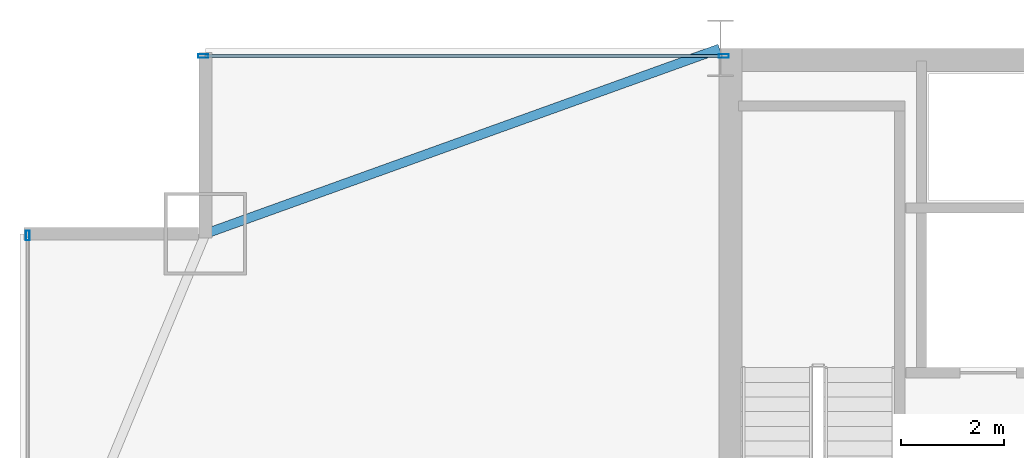
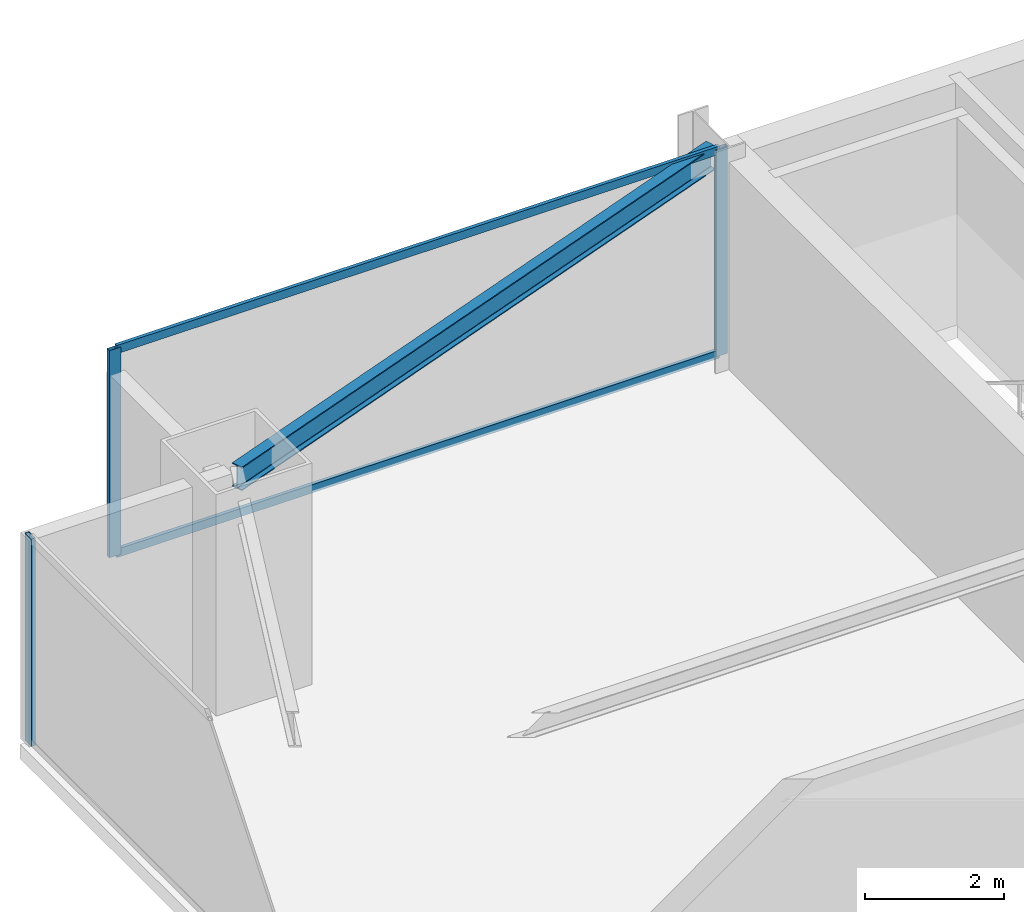
# One storey, part 21 of 32: 5 members, 1 beam, 2 elements without a shape of their own.
"""IFC4 building model written with IfcOpenShell, lengths in metres."""

from ifc_helpers import new_model, si_unit, direction, frame, origin, origin_2d, place, context, subcontext, project, spatial, hollow_rectangle, i_section, extrude, source, transform, mapped, material, layer, layer_set, material_profile, profile_set, type_object, type_shapes, element, aggregate, save


model = new_model("IFC4")

# Units and contexts
model_context = context("Model", 3, precision=1e-05, world=origin(), true_north=direction((0.0, 1.0)))
body_context = subcontext(model_context, "Body", "Model", "MODEL_VIEW")
ifc_project = project(units=[si_unit("LENGTHUNIT", "METRE"), si_unit("AREAUNIT", "SQUARE_METRE"), si_unit("VOLUMEUNIT", "CUBIC_METRE"), si_unit("PLANEANGLEUNIT", "RADIAN"), si_unit("MASSUNIT", "GRAM", prefix="KILO")], contexts=[model_context])

# Site, building, storey
site_placement = place(None, origin())
site = spatial("IfcSite", under=ifc_project, at=site_placement, CompositionType="ELEMENT")
building_placement = place(site_placement, origin())
building = spatial("IfcBuilding", under=site, at=building_placement, Name="Varnel Quay Broadcast Tower", CompositionType="ELEMENT")
storey_placement = place(building_placement, frame((0.0, 0.0, 43.199951171875)))
storey = spatial("IfcBuildingStorey", under=building, at=storey_placement, Name="L09", CompositionType="ELEMENT", Elevation=43.199951171875)

# Beam
ifc_material_1 = material(Name="Structural Steel CSA G40.21 350W", Category="steel")
ifc_material_profile_1 = material_profile(ifc_material_1, i_section(OverallWidth=0.180908203125, OverallDepth=0.4169921875, WebThickness=0.010986328125, FlangeThickness=0.018310546875, FilletRadius=0.011962890625, at=origin_2d()), Name="W410X85")
ifc_profile_set_1 = profile_set([ifc_material_profile_1], Name="Structural Steel CSA G40.21 350W")
beam_type = type_object("IfcBeamType", Name="Beam_W410X85", PredefinedType="SPANDREL", material=ifc_profile_set_1)
shared_shape_1 = source(origin(), body_context, "Body", "SweptSolid", [
    extrude(i_section(OverallWidth=0.180908203125, OverallDepth=0.4169921875, WebThickness=0.010986328125, FlangeThickness=0.018310546875, FilletRadius=0.011962890625, at=origin_2d()), origin(), (0.0, 0.0, 1.0), 10.58837890625),
])
type_shapes(beam_type, [shared_shape_1])
beam_placement = place(storey_placement, frame((5.618896484375, 43.206787109375, 3.441650390625), z_axis=(0.940888587605, 0.338716202321, 0.0), x_axis=(-0.338716202321, 0.940888587605, 0.0)))
element("IfcBeam", 1, at=beam_placement, inside=storey, type_object=beam_type, Name="L09 NW Tie Spandrel", PredefinedType="SPANDREL", context=body_context, shape_type="MappedRepresentation", body=[
    mapped(shared_shape_1, transform((0.0, 0.0, 0.0), x_axis=(1.0, 0.0, 0.0), y_axis=(0.0, 1.0, 0.0), z_axis=(0.0, 0.0, 1.0), scale=1.0)),
])

# Curtain wall, members
ifc_material_2 = material(Name="Anodised Bronze Aluminium 6063-T6", Category="aluminium")
ifc_layer = layer(ifc_material_2, 0.18994140625, Name="Anodised Bronze Aluminium 6063-T6")
ifc_layer_set = layer_set([ifc_layer], Name="Anodised Bronze Aluminium 6063-T6")
curtain_wall_type = type_object("IfcCurtainWallType", Name="CW_LowerTower", PredefinedType="NOTDEFINED", material=ifc_layer_set)
curtain_wall_1_placement = place(storey_placement, origin())
curtain_wall_1 = element("IfcCurtainWall", 2, at=curtain_wall_1_placement, inside=storey, type_object=curtain_wall_type, Name="L09 NW Wing Curtain Wall", PredefinedType="NOTDEFINED")
ifc_material_profile_2 = material_profile(ifc_material_2, hollow_rectangle(XDim=0.06005859375, YDim=0.14501953125, WallThickness=0.00341796875, at=origin_2d()), Name="ALU60X145X3.5")
ifc_profile_set_2 = profile_set([ifc_material_profile_2], Name="Anodised Bronze Aluminium 6063-T6")
member_type_1 = type_object("IfcMemberType", Name="Tran_CWS-02", PredefinedType="USERDEFINED", material=ifc_profile_set_2)
shared_shape_2 = source(origin(), body_context, "Body", "SweptSolid", [
    extrude(hollow_rectangle(XDim=0.06005859375, YDim=0.14501953125, WallThickness=0.00341796875, at=origin_2d()), origin(), (0.0, 0.0, 1.0), 10.039794921875),
])
type_shapes(member_type_1, [shared_shape_2])
member_1_placement = place(storey_placement, frame((5.590087890625, 46.64990234375, 0.030029296875), z_axis=(1.0, 0.0, 0.0), x_axis=(0.0, 1.0, 0.0)))
member_1 = element("IfcMember", 3, at=member_1_placement, type_object=member_type_1, Name="CWS-02 transom 1.1", ObjectType="TRANSOM", PredefinedType="USERDEFINED", context=body_context, shape_type="MappedRepresentation", body=[
    mapped(shared_shape_2, transform((0.0, 0.0, 0.0), x_axis=(1.0, 0.0, 0.0), y_axis=(0.0, 1.0, 0.0), z_axis=(0.0, 0.0, 1.0), scale=1.0)),
])
member_2_placement = place(storey_placement, frame((5.590087890625, 46.64990234375, 3.6201171875), z_axis=(1.0, 0.0, 0.0), x_axis=(0.0, 1.0, 0.0)))
member_2 = element("IfcMember", 4, at=member_2_placement, type_object=member_type_1, Name="CWS-02 transom 1.2", ObjectType="TRANSOM", PredefinedType="USERDEFINED", context=body_context, shape_type="MappedRepresentation", body=[
    mapped(shared_shape_2, transform((0.0, 0.0, 0.0), x_axis=(1.0, 0.0, 0.0), y_axis=(0.0, 1.0, 0.0), z_axis=(0.0, 0.0, 1.0), scale=1.0)),
])

# Curtain wall, member
curtain_wall_2_placement = place(storey_placement, origin())
curtain_wall_2 = element("IfcCurtainWall", 5, at=curtain_wall_2_placement, inside=storey, type_object=curtain_wall_type, Name="L09 West Unitised Curtain Wall", PredefinedType="NOTDEFINED")
ifc_material_profile_3 = material_profile(ifc_material_2, hollow_rectangle(XDim=0.070068359375, YDim=0.18994140625, WallThickness=0.00390625, at=origin_2d()), Name="ALU70X190X4")
ifc_profile_set_3 = profile_set([ifc_material_profile_3], Name="Anodised Bronze Aluminium 6063-T6")
member_type_2 = type_object("IfcMemberType", Name="Mull_CWS-02", PredefinedType="MULLION", material=ifc_profile_set_3)
shared_shape_3 = source(origin(), body_context, "Body", "SweptSolid", [
    extrude(hollow_rectangle(XDim=0.070068359375, YDim=0.18994140625, WallThickness=0.00390625, at=origin_2d()), origin(), (0.0, 0.0, 1.0), 3.650146484375),
])
type_shapes(member_type_2, [shared_shape_3])
member_3_placement = place(storey_placement, frame((2.14990234375, 43.1650390625, 0.0), z_axis=(0.0, 0.0, 1.0), x_axis=(-1.0, 0.0, 0.0)))
member_3 = element("IfcMember", 6, at=member_3_placement, type_object=member_type_2, Name="CWS-02 mullion 4", PredefinedType="MULLION", context=body_context, shape_type="MappedRepresentation", body=[
    mapped(shared_shape_3, transform((0.0, 0.0, 0.0), x_axis=(1.0, 0.0, 0.0), y_axis=(0.0, 1.0, 0.0), z_axis=(0.0, 0.0, 1.0), scale=1.0)),
])
aggregate(curtain_wall_2, [member_3])

# Member
member_4_placement = place(storey_placement, frame((5.554931640625, 46.64990234375, 0.0), z_axis=(0.0, 0.0, 1.0), x_axis=(0.0, 1.0, 0.0)))
member_4 = element("IfcMember", 7, at=member_4_placement, type_object=member_type_2, Name="CWS-02 mullion 1", PredefinedType="MULLION", context=body_context, shape_type="MappedRepresentation", body=[
    mapped(shared_shape_3, transform((0.0, 0.0, 0.0), x_axis=(1.0, 0.0, 0.0), y_axis=(0.0, 1.0, 0.0), z_axis=(0.0, 0.0, 1.0), scale=1.0)),
])

member_5_placement = place(storey_placement, frame((15.6650390625, 46.64990234375, 0.0), z_axis=(0.0, 0.0, 1.0), x_axis=(0.0, 1.0, 0.0)))
member_5 = element("IfcMember", 8, at=member_5_placement, type_object=member_type_2, Name="CWS-02 mullion 2", PredefinedType="MULLION", context=body_context, shape_type="MappedRepresentation", body=[
    mapped(shared_shape_3, transform((0.0, 0.0, 0.0), x_axis=(1.0, 0.0, 0.0), y_axis=(0.0, 1.0, 0.0), z_axis=(0.0, 0.0, 1.0), scale=1.0)),
])

aggregate(curtain_wall_1, [member_4, member_5, member_1, member_2])

save(model, "model.ifc")
